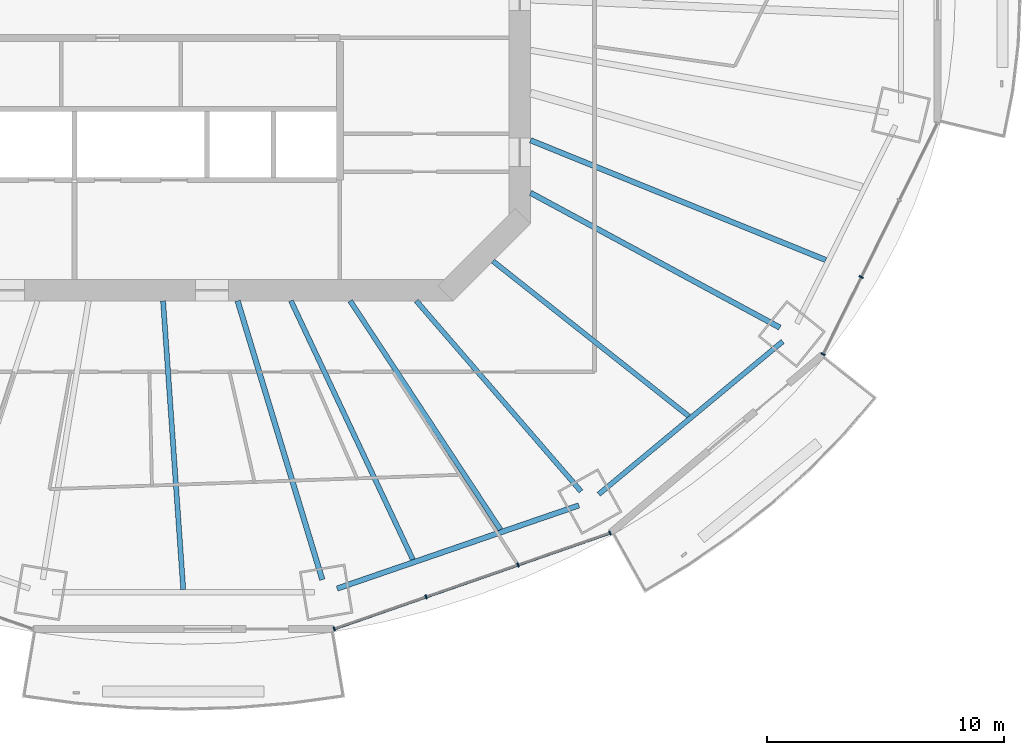
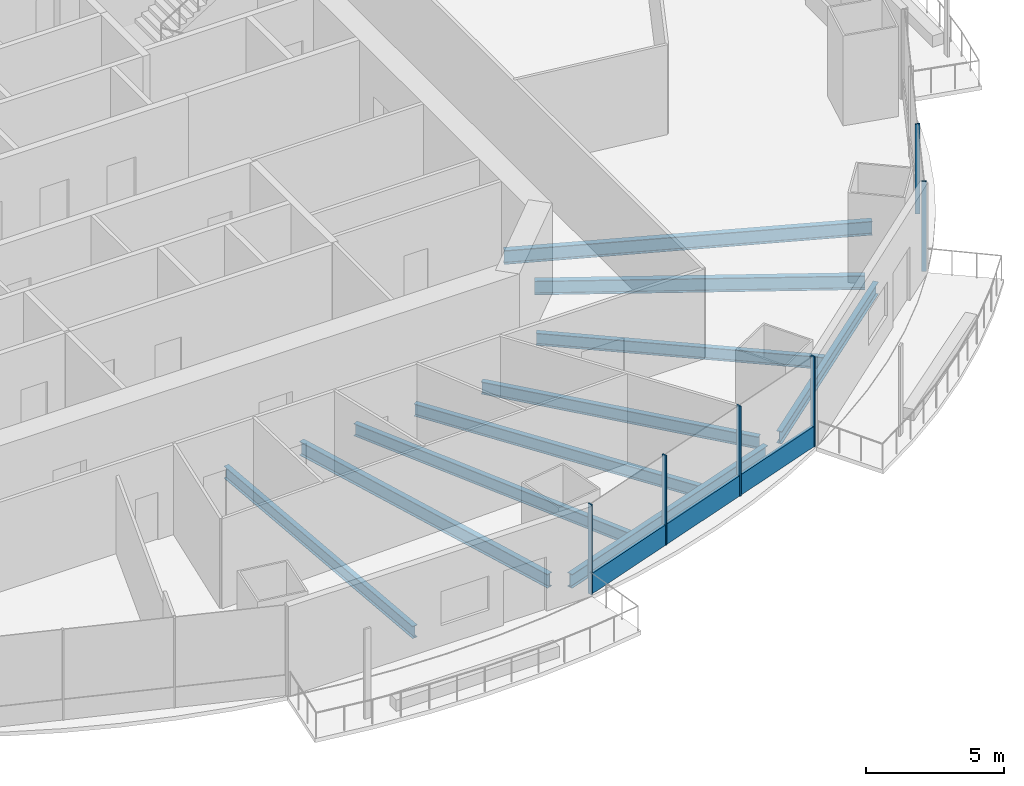
# One storey, part 4 of 20: 10 beams, 7 members, 2 elements without a shape of their own.
"""IFC4 building model written with IfcOpenShell, lengths in metres."""

from ifc_helpers import new_model, si_unit, direction, frame, origin, origin_2d, place, context, subcontext, project, spatial, rectangle, i_section, extrude, material, material_profile, profile_set, type_object, element, aggregate, save


model = new_model("IFC4")

# Units and contexts
model_context = context("Model", 3, precision=1e-05, world=origin(), true_north=direction((0.0, 1.0)))
body_context = subcontext(model_context, "Body", "Model", "MODEL_VIEW")
ifc_project = project(units=[si_unit("LENGTHUNIT", "METRE"), si_unit("AREAUNIT", "SQUARE_METRE"), si_unit("VOLUMEUNIT", "CUBIC_METRE"), si_unit("PLANEANGLEUNIT", "RADIAN"), si_unit("MASSUNIT", "GRAM", prefix="KILO")], contexts=[model_context])

# Site, building, storey
site_placement = place(None, origin())
site = spatial("IfcSite", under=ifc_project, at=site_placement, CompositionType="ELEMENT")
building_placement = place(site_placement, origin())
building = spatial("IfcBuilding", under=site, at=building_placement, Name="Marenthal Gate Tower", CompositionType="ELEMENT")
storey_placement = place(building_placement, frame((0.0, 0.0, 177.64990234375)))
storey = spatial("IfcBuildingStorey", under=building, at=storey_placement, Name="L38", CompositionType="ELEMENT", Elevation=177.64990234375)

# Curtain wall, members
ifc_material_1 = material(Name="Aluminium and glass", Category="aluminium")
curtain_wall_type = type_object("IfcCurtainWallType", Name="Curtain wall typical mid", PredefinedType="NOTDEFINED", material=ifc_material_1)
curtain_wall_1_placement = place(storey_placement, origin())
curtain_wall_1 = element("IfcCurtainWall", 1, at=curtain_wall_1_placement, inside=storey, type_object=curtain_wall_type, Name="Curtain wall L38 bay 13", PredefinedType="NOTDEFINED")
ifc_material_2 = material(Name="Aluminium", Category="aluminium")
ifc_material_profile_1 = material_profile(ifc_material_2, rectangle(XDim=0.179931640625, YDim=0.06005859375, at=origin_2d()), Name="60x180 aluminium mullion")
ifc_profile_set_1 = profile_set([ifc_material_profile_1], Name="Aluminium")
member_type_1 = type_object("IfcMemberType", Name="Mullion 60x180 typical mid", PredefinedType="MULLION", material=ifc_profile_set_1)
member_1_placement = place(storey_placement, frame((8.160400390625, -27.29296875, 0.0), z_axis=(0.0, 0.0, 1.0), x_axis=(-0.32821091538, 0.944604464856, 0.0)))
member_1 = element("IfcMember", 2, at=member_1_placement, type_object=member_type_1, Name="Mullion L38 bay 13.1", PredefinedType="MULLION", context=body_context, shape_type="SweptSolid", body=[
    extrude(rectangle(XDim=0.179931640625, YDim=0.06005859375, at=origin_2d()), origin(), (0.0, 0.0, 1.0), 3.97021484375),
])
member_2_placement = place(storey_placement, frame((12.04150390625, -25.944580078125, 0.0), z_axis=(0.0, 0.0, 1.0), x_axis=(-0.32821091538, 0.944604464856, 0.0)))
member_2 = element("IfcMember", 3, at=member_2_placement, type_object=member_type_1, Name="Mullion L38 bay 13.2", PredefinedType="MULLION", context=body_context, shape_type="SweptSolid", body=[
    extrude(rectangle(XDim=0.179931640625, YDim=0.06005859375, at=origin_2d()), origin(), (0.0, 0.0, 1.0), 3.97021484375),
])
member_3_placement = place(storey_placement, frame((15.922607421875, -24.595947265625, 0.0), z_axis=(0.0, 0.0, 1.0), x_axis=(-0.32821091538, 0.944604464856, 0.0)))
member_3 = element("IfcMember", 4, at=member_3_placement, type_object=member_type_1, Name="Mullion L38 bay 13.3", PredefinedType="MULLION", context=body_context, shape_type="SweptSolid", body=[
    extrude(rectangle(XDim=0.179931640625, YDim=0.06005859375, at=origin_2d()), origin(), (0.0, 0.0, 1.0), 3.97021484375),
])
member_4_placement = place(storey_placement, frame((19.8037109375, -23.24755859375, 0.0), z_axis=(0.0, 0.0, 1.0), x_axis=(-0.32821091538, 0.944604464856, 0.0)))
member_4 = element("IfcMember", 5, at=member_4_placement, type_object=member_type_1, Name="Mullion L38 bay 13.4", PredefinedType="MULLION", context=body_context, shape_type="SweptSolid", body=[
    extrude(rectangle(XDim=0.179931640625, YDim=0.06005859375, at=origin_2d()), origin(), (0.0, 0.0, 1.0), 3.97021484375),
])

curtain_wall_2_placement = place(storey_placement, origin())
curtain_wall_2 = element("IfcCurtainWall", 6, at=curtain_wall_2_placement, inside=storey, type_object=curtain_wall_type, Name="Curtain wall L38 bay 15", PredefinedType="NOTDEFINED")
member_5_placement = place(storey_placement, frame((28.80029296875, -15.69921875, 0.0), z_axis=(0.0, 0.0, 1.0), x_axis=(-0.89664343149, 0.442753381428, 0.0)))
member_5 = element("IfcMember", 7, at=member_5_placement, type_object=member_type_1, Name="Mullion L38 bay 15.1", PredefinedType="MULLION", context=body_context, shape_type="SweptSolid", body=[
    extrude(rectangle(XDim=0.179931640625, YDim=0.06005859375, at=origin_2d()), origin(), (0.0, 0.0, 1.0), 3.97021484375),
])
member_6_placement = place(storey_placement, frame((30.40673828125, -12.445556640625, 0.0), z_axis=(0.0, 0.0, 1.0), x_axis=(-0.89664343149, 0.442753381428, 0.0)))
member_6 = element("IfcMember", 8, at=member_6_placement, type_object=member_type_1, Name="Mullion L38 bay 15.2", PredefinedType="MULLION", context=body_context, shape_type="SweptSolid", body=[
    extrude(rectangle(XDim=0.179931640625, YDim=0.06005859375, at=origin_2d()), origin(), (0.0, 0.0, 1.0), 3.97021484375),
])
aggregate(curtain_wall_2, [member_5, member_6])

# Member
ifc_material_3 = material(Name="Aluminium", Category="aluminium")
ifc_material_profile_2 = material_profile(ifc_material_3, rectangle(XDim=0.1201171875, YDim=0.89990234375, at=origin_2d()), Name="120x900 aluminium transom")
ifc_profile_set_2 = profile_set([ifc_material_profile_2], Name="Aluminium")
member_type_2 = type_object("IfcMemberType", Name="Transom 120x900 typical mid", PredefinedType="USERDEFINED", material=ifc_profile_set_2)
member_7_placement = place(storey_placement, frame((8.188720703125, -27.283203125, 0.4501953125), z_axis=(0.944604688319, 0.328210272243, 0.0), x_axis=(-0.328210272243, 0.944604688319, 0.0)))
member_7 = element("IfcMember", 9, at=member_7_placement, type_object=member_type_2, Name="Transom L38 bay 13", ObjectType="TRANSOM", PredefinedType="USERDEFINED", context=body_context, shape_type="SweptSolid", body=[
    extrude(rectangle(XDim=0.1201171875, YDim=0.89990234375, at=origin_2d()), origin(), (0.0, 0.0, 1.0), 12.26611328125),
])

aggregate(curtain_wall_1, [member_1, member_2, member_3, member_4, member_7])

# Beams
ifc_material_4 = material(Name="Steel S355", Category="steel")
ifc_material_profile_3 = material_profile(ifc_material_4, i_section(OverallWidth=0.2099609375, OverallDepth=0.535888671875, WebThickness=0.010986328125, FlangeThickness=0.017333984375, FilletRadius=0.0126953125, at=origin_2d()), Name="W530X101")
ifc_profile_set_3 = profile_set([ifc_material_profile_3], Name="Steel S355")
beam_type_1 = type_object("IfcBeamType", Name="W530X101 beam", PredefinedType="BEAM", material=ifc_profile_set_3)
beam_1_placement = place(storey_placement, frame((23.12890625, -18.31884765625, -0.447998046875), z_axis=(-0.783911518146, 0.620872556745, 0.0), x_axis=(-0.620872556745, -0.783911518146, 0.0)))
element("IfcBeam", 10, at=beam_1_placement, inside=storey, type_object=beam_type_1, Name="BM-L38-37", PredefinedType="BEAM", context=body_context, shape_type="SweptSolid", body=[
    extrude(i_section(OverallWidth=0.2099609375, OverallDepth=0.535888671875, WebThickness=0.010986328125, FlangeThickness=0.017333984375, FilletRadius=0.0126953125, at=origin_2d()), origin(), (0.0, 0.0, 1.0), 10.54345703125),
])
ifc_material_5 = material(Name="Steel S355", Category="steel")
ifc_material_profile_4 = material_profile(ifc_material_5, i_section(OverallWidth=0.2119140625, OverallDepth=0.5439453125, WebThickness=0.01318359375, FlangeThickness=0.021240234375, FilletRadius=0.0126953125, at=origin_2d()), Name="W530X123")
ifc_profile_set_4 = profile_set([ifc_material_profile_4], Name="Steel S355")
beam_type_2 = type_object("IfcBeamType", Name="W530X123 beam", PredefinedType="BEAM", material=ifc_profile_set_4)
beam_2_placement = place(storey_placement, frame((18.57958984375, -21.490478515625, -0.451904296875), z_axis=(-0.654014478657, 0.756482029996, 0.0), x_axis=(-0.756482029996, -0.654014478657, 0.0)))
element("IfcBeam", 11, at=beam_2_placement, inside=storey, type_object=beam_type_2, Name="BM-L38-14", PredefinedType="BEAM", context=body_context, shape_type="SweptSolid", body=[
    extrude(i_section(OverallWidth=0.2119140625, OverallDepth=0.5439453125, WebThickness=0.01318359375, FlangeThickness=0.021240234375, FilletRadius=0.0126953125, at=origin_2d()), origin(), (0.0, 0.0, 1.0), 10.62890625),
])
beam_3_placement = place(storey_placement, frame((1.7919921875, -25.638671875, -0.451904296875), z_axis=(-0.06971479493, 0.997566963851, 0.0), x_axis=(-0.997566963851, -0.06971479493, 0.0)))
element("IfcBeam", 12, at=beam_3_placement, inside=storey, type_object=beam_type_2, Name="BM-L38-34", PredefinedType="BEAM", context=body_context, shape_type="SweptSolid", body=[
    extrude(i_section(OverallWidth=0.2119140625, OverallDepth=0.5439453125, WebThickness=0.01318359375, FlangeThickness=0.021240234375, FilletRadius=0.0126953125, at=origin_2d()), origin(), (0.0, 0.0, 1.0), 12.218505859375),
])
beam_4_placement = place(storey_placement, frame((11.48486328125, -24.37255859375, -0.451904296875), z_axis=(-0.426266322178, 0.904597713117, 0.0), x_axis=(-0.904597713117, -0.426266322178, 0.0)))
element("IfcBeam", 13, at=beam_4_placement, inside=storey, type_object=beam_type_2, Name="BM-L38-35", PredefinedType="BEAM", context=body_context, shape_type="SweptSolid", body=[
    extrude(i_section(OverallWidth=0.2119140625, OverallDepth=0.5439453125, WebThickness=0.01318359375, FlangeThickness=0.021240234375, FilletRadius=0.0126953125, at=origin_2d()), origin(), (0.0, 0.0, 1.0), 12.074462890625),
])
beam_5_placement = place(storey_placement, frame((15.17919921875, -23.1015625, -0.451904296875), z_axis=(-0.549136123966, 0.835732922264, 0.0), x_axis=(-0.835732922264, -0.549136123966, 0.0)))
element("IfcBeam", 14, at=beam_5_placement, inside=storey, type_object=beam_type_2, Name="BM-L38-36", PredefinedType="BEAM", context=body_context, shape_type="SweptSolid", body=[
    extrude(i_section(OverallWidth=0.2119140625, OverallDepth=0.5439453125, WebThickness=0.01318359375, FlangeThickness=0.021240234375, FilletRadius=0.0126953125, at=origin_2d()), origin(), (0.0, 0.0, 1.0), 11.548583984375),
])
beam_6_placement = place(storey_placement, frame((19.3330078125, -21.609375, -0.451904296875), z_axis=(0.769253878799, 0.638943244704, 0.0), x_axis=(-0.638943244704, 0.769253878799, 0.0)))
element("IfcBeam", 15, at=beam_6_placement, inside=storey, type_object=beam_type_2, Name="BM-L38-54", PredefinedType="BEAM", context=body_context, shape_type="SweptSolid", body=[
    extrude(i_section(OverallWidth=0.2119140625, OverallDepth=0.5439453125, WebThickness=0.01318359375, FlangeThickness=0.021240234375, FilletRadius=0.0126953125, at=origin_2d()), origin(), (0.0, 0.0, 1.0), 10.087158203125),
])
ifc_material_6 = material(Name="Steel S355", Category="steel")
ifc_material_profile_5 = material_profile(ifc_material_6, i_section(OverallWidth=0.22900390625, OverallDepth=0.612060546875, WebThickness=0.011962890625, FlangeThickness=0.01953125, FilletRadius=0.0126953125, at=origin_2d()), Name="W610X125")
ifc_profile_set_5 = profile_set([ifc_material_profile_5], Name="Steel S355")
beam_type_3 = type_object("IfcBeamType", Name="W610X125 beam", PredefinedType="BEAM", material=ifc_profile_set_5)
beam_7_placement = place(storey_placement, frame((7.661376953125, -25.21826171875, -0.48583984375), z_axis=(-0.290680547451, 0.956820160392, 0.0), x_axis=(-0.956820160392, -0.290680547451, 0.0)))
element("IfcBeam", 16, at=beam_7_placement, inside=storey, type_object=beam_type_3, Name="BM-L38-13", PredefinedType="BEAM", context=body_context, shape_type="SweptSolid", body=[
    extrude(i_section(OverallWidth=0.22900390625, OverallDepth=0.612060546875, WebThickness=0.011962890625, FlangeThickness=0.01953125, FilletRadius=0.0126953125, at=origin_2d()), origin(), (0.0, 0.0, 1.0), 12.29931640625),
])
beam_8_placement = place(storey_placement, frame((26.97412109375, -14.578369140625, -0.48583984375), z_axis=(-0.87974135187, 0.475452577877, 0.0), x_axis=(-0.475452577877, -0.87974135187, 0.0)))
element("IfcBeam", 17, at=beam_8_placement, inside=storey, type_object=beam_type_3, Name="BM-L38-15", PredefinedType="BEAM", context=body_context, shape_type="SweptSolid", body=[
    extrude(i_section(OverallWidth=0.22900390625, OverallDepth=0.612060546875, WebThickness=0.011962890625, FlangeThickness=0.01953125, FilletRadius=0.0126953125, at=origin_2d()), origin(), (0.0, 0.0, 1.0), 11.962890625),
])
beam_9_placement = place(storey_placement, frame((28.91162109375, -11.7265625, -0.48583984375), z_axis=(-0.926676727165, 0.375859339821, 0.0), x_axis=(-0.375859339821, -0.926676727165, 0.0)))
element("IfcBeam", 18, at=beam_9_placement, inside=storey, type_object=beam_type_3, Name="BM-L38-38", PredefinedType="BEAM", context=body_context, shape_type="SweptSolid", body=[
    extrude(i_section(OverallWidth=0.22900390625, OverallDepth=0.612060546875, WebThickness=0.011962890625, FlangeThickness=0.01953125, FilletRadius=0.0126953125, at=origin_2d()), origin(), (0.0, 0.0, 1.0), 13.44775390625),
])
beam_10_placement = place(storey_placement, frame((8.2861328125, -25.59423828125, -0.48583984375), z_axis=(0.945596584749, 0.325341511203, 0.0), x_axis=(-0.325341511203, 0.945596584749, 0.0)))
element("IfcBeam", 19, at=beam_10_placement, inside=storey, type_object=beam_type_3, Name="BM-L38-53", PredefinedType="BEAM", context=body_context, shape_type="SweptSolid", body=[
    extrude(i_section(OverallWidth=0.22900390625, OverallDepth=0.612060546875, WebThickness=0.011962890625, FlangeThickness=0.01953125, FilletRadius=0.0126953125, at=origin_2d()), origin(), (0.0, 0.0, 1.0), 10.791748046875),
])

save(model, "model.ifc")
